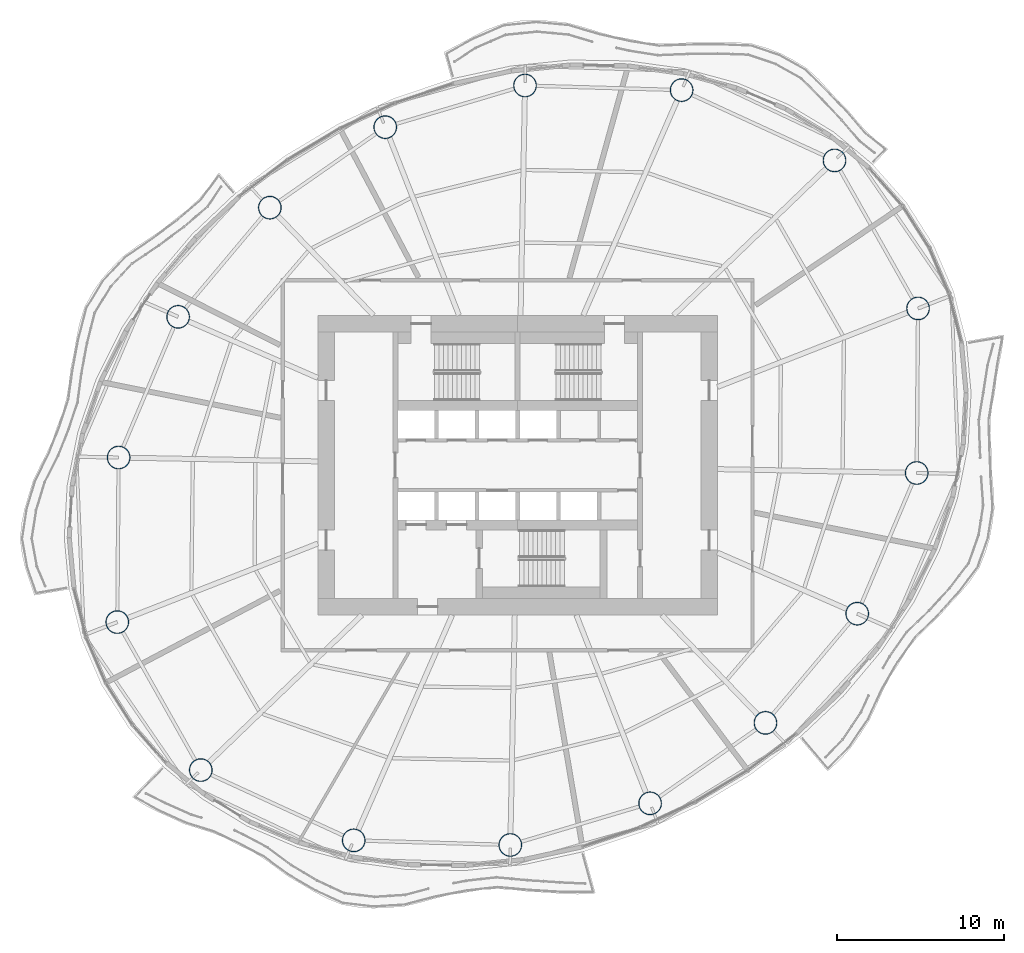
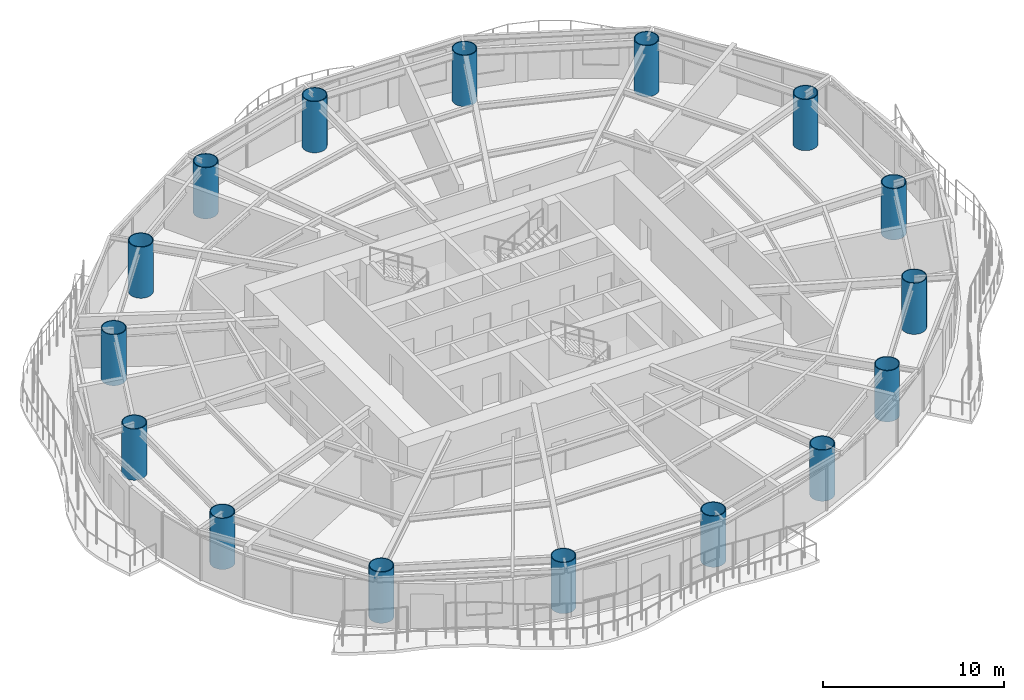
# One storey, part 1 of 16: 16 columns.
"""IFC4 building model written with IfcOpenShell, lengths in metres."""

from ifc_helpers import new_model, si_unit, direction, frame, origin, origin_2d, place, context, subcontext, project, spatial, hollow_circle, extrude, material, material_profile, profile_set, type_object, element, save


model = new_model("IFC4")

# Units and contexts
model_context = context("Model", 3, precision=1e-05, world=origin(), true_north=direction((0.0, 1.0)))
body_context = subcontext(model_context, "Body", "Model", "MODEL_VIEW")
ifc_project = project(units=[si_unit("LENGTHUNIT", "METRE"), si_unit("AREAUNIT", "SQUARE_METRE"), si_unit("VOLUMEUNIT", "CUBIC_METRE"), si_unit("PLANEANGLEUNIT", "RADIAN"), si_unit("MASSUNIT", "GRAM", prefix="KILO")], contexts=[model_context])

# Site, building, storey
site_placement = place(None, origin())
site = spatial("IfcSite", under=ifc_project, at=site_placement, CompositionType="ELEMENT")
building_placement = place(site_placement, origin())
building = spatial("IfcBuilding", under=site, at=building_placement, Name="Vermilion Reach Broadcast Tower", CompositionType="ELEMENT")
storey_placement = place(building_placement, frame((0.0, 0.0, 147.0)))
storey = spatial("IfcBuildingStorey", under=building, at=storey_placement, Name="L34", CompositionType="ELEMENT", Elevation=147.0)

# Columns
ifc_material = material(Name="Concrete C70 infill in steel S460NL tube", Category="concrete")
ifc_material_profile = material_profile(ifc_material, hollow_circle(Radius=0.699951171875, WallThickness=0.050048828125, at=origin_2d()), Name="Concrete C70 infill in steel S460NL tube CFT 1400x50")
ifc_profile_set = profile_set([ifc_material_profile], Name="Concrete C70 infill in steel S460NL tube")
column_type = type_object("IfcColumnType", Name="MC3 CFT 1400x50", PredefinedType="COLUMN", material=ifc_profile_set)
for number, where, z_axis, x_axis, name in (
    (1, (13.02587890625, 18.302734375, 0.0), (0.0, 0.0, 1.0), (1.0, 0.0, 0.0), "Mega-column MC3-01"),
    (2, (3.84521484375, 22.524169921875, 0.0), (0.0, 0.0, 1.0), (1.0, 0.0, 0.0), "Mega-column MC3-02"),
    (3, (-5.558349609375, 22.800048828125, 0.0), (0.0, 0.0, 1.0), (1.0, 0.0, 0.0), "Mega-column MC3-03"),
    (4, (-13.95166015625, 20.30078125, 0.0), (0.0, 0.0, 1.0), (1.0, 0.0, 0.0), "Mega-column MC3-04"),
    (5, (-20.879150390625, 15.46728515625, 0.0), (0.0, 0.0, 1.0), (1.0, 0.0, 0.0), "Mega-column MC3-05"),
    (6, (-26.38818359375, 8.91162109375, 0.0), (0.0, 0.0, 1.0), (1.0, 0.0, 0.0), "Mega-column MC3-06"),
    (7, (-29.95947265625, 0.464111328125, 0.0), (0.0, 0.0, 1.0), (1.0, 0.0, 0.0), "Mega-column MC3-07"),
    (8, (-30.04052734375, -9.41650390625, 0.0), (0.0, 0.0, 1.0), (1.0, 0.0, 0.0), "Mega-column MC3-08"),
    (9, (-25.02587890625, -18.302734375, 0.0), (0.0, 0.0, 1.0), (1.0, 0.0, 0.0), "Mega-column MC3-09"),
    (10, (-15.84521484375, -22.524169921875, 0.0), (0.0, 0.0, 1.0), (1.0, 0.0, 0.0), "Mega-column MC3-10"),
    (11, (-6.441650390625, -22.800048828125, 0.0), (0.0, 0.0, 1.0), (1.0, 0.0, 0.0), "Mega-column MC3-11"),
    (12, (1.95166015625, -20.30078125, 0.0), (0.0, 0.0, 1.0), (1.0, 0.0, 0.0), "Mega-column MC3-12"),
    (13, (8.879150390625, -15.46728515625, 0.0), (0.0, 0.0, 1.0), (1.0, 0.0, 0.0), "Mega-column MC3-13"),
    (14, (14.38818359375, -8.91162109375, 0.0), (0.0, 0.0, 1.0), (1.0, 0.0, 0.0), "Mega-column MC3-14"),
    (15, (17.95947265625, -0.464111328125, 0.0), (0.0, 0.0, 1.0), (1.0, 0.0, 0.0), "Mega-column MC3-15"),
    (16, (18.04052734375, 9.41650390625, 0.0), (0.0, 0.0, 1.0), (1.0, 0.0, 0.0), "Mega-column MC3-16"),
):
    element("IfcColumn", number, at=place(storey_placement, frame(where, z_axis=z_axis, x_axis=x_axis)), inside=storey, type_object=column_type, Name=name, PredefinedType="COLUMN", context=body_context, shape_type="SweptSolid", body=[
        extrude(hollow_circle(Radius=0.699951171875, WallThickness=0.050048828125, at=origin_2d()), origin(), (0.0, 0.0, 1.0), 3.449951171875),
    ])

save(model, "model.ifc")
